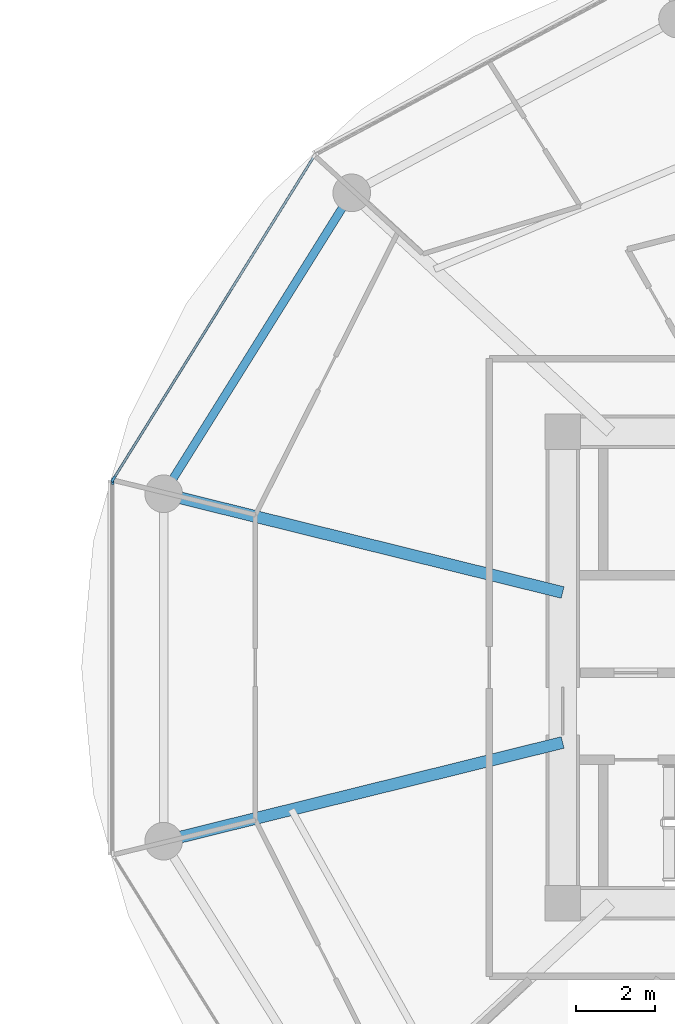
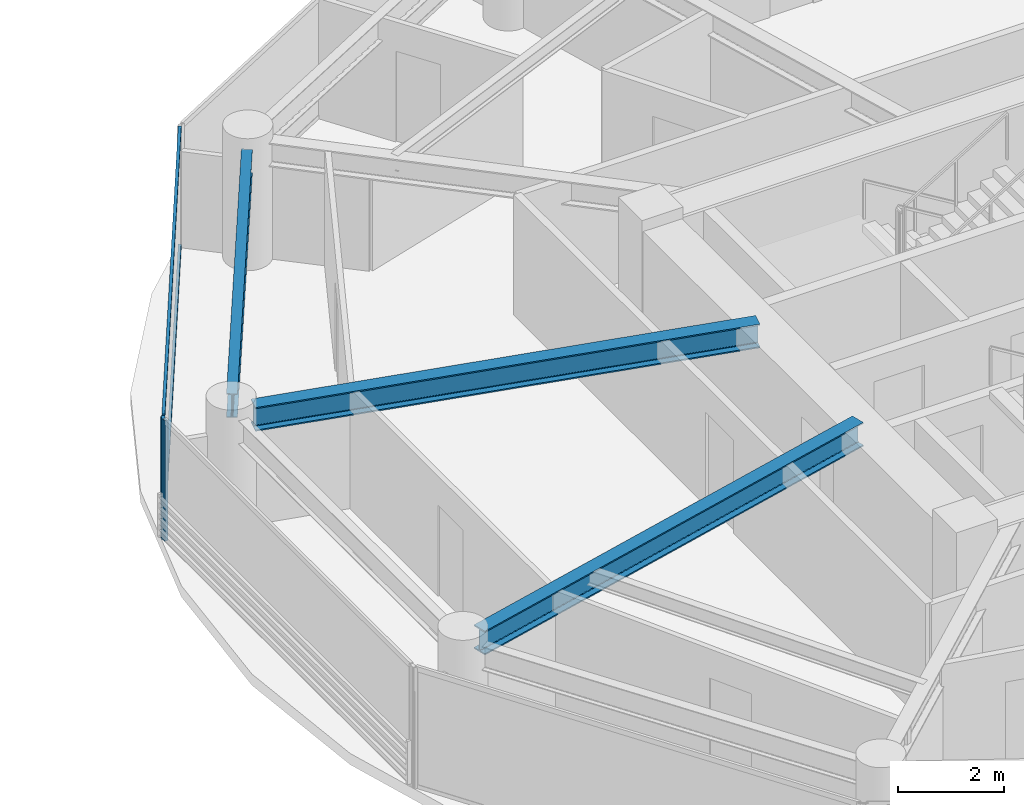
# One storey, part 8 of 27: 4 members, 3 beams, 2 elements without a shape of their own.
"""IFC4 building model written with IfcOpenShell, lengths in metres."""

from ifc_helpers import new_model, si_unit, direction, frame, origin, origin_2d, place, context, subcontext, project, spatial, rectangle, i_section, extrude, source, transform, mapped, material, layer, layer_set, material_profile, profile_set, type_object, type_shapes, element, aggregate, save


model = new_model("IFC4")

# Units and contexts
model_context = context("Model", 3, precision=1e-05, world=origin(), true_north=direction((0.0, 1.0)))
body_context = subcontext(model_context, "Body", "Model", "MODEL_VIEW")
ifc_project = project(units=[si_unit("LENGTHUNIT", "METRE"), si_unit("AREAUNIT", "SQUARE_METRE"), si_unit("VOLUMEUNIT", "CUBIC_METRE"), si_unit("PLANEANGLEUNIT", "RADIAN"), si_unit("MASSUNIT", "GRAM", prefix="KILO")], contexts=[model_context])

# Site, building, storey
site_placement = place(None, origin())
site = spatial("IfcSite", under=ifc_project, at=site_placement, CompositionType="ELEMENT")
building_placement = place(site_placement, origin())
building = spatial("IfcBuilding", under=site, at=building_placement, Name="Norrkilde Senior Care Towers", CompositionType="ELEMENT")
storey_placement = place(building_placement, frame((0.0, 0.0, 46.0)))
storey = spatial("IfcBuildingStorey", under=building, at=storey_placement, Name="L13", CompositionType="ELEMENT", Elevation=46.0)

# Beams
ifc_material_1 = material(Name="Steel S355", Category="steel")
ifc_material_profile_1 = material_profile(ifc_material_1, i_section(OverallWidth=0.2099609375, OverallDepth=0.550048828125, WebThickness=0.010986328125, FlangeThickness=0.01708984375, FilletRadius=0.02392578125, at=origin_2d()), Name="IPE 550")
ifc_profile_set_1 = profile_set([ifc_material_profile_1], Name="Steel S355")
beam_type_1 = type_object("IfcBeamType", Name="Perimeter Ring Spandrel Z1 IPE550", PredefinedType="SPANDREL", material=ifc_profile_set_1)
shared_shape_1 = source(origin(), body_context, "Body", "SweptSolid", [
    extrude(i_section(OverallWidth=0.2099609375, OverallDepth=0.550048828125, WebThickness=0.010986328125, FlangeThickness=0.01708984375, FilletRadius=0.02392578125, at=origin_2d()), origin(), (0.0, 0.0, 1.0), 8.090576171875),
])
type_shapes(beam_type_1, [shared_shape_1])
beam_placement = place(storey_placement, frame((14.7939453125, 11.61669921875, 2.514892578125), z_axis=(-0.530004364821, -0.84799491347, 0.0), x_axis=(0.84799491347, -0.530004364821, 0.0)))
element("IfcBeam", 1, at=beam_placement, inside=storey, type_object=beam_type_1, Name="L13 Drum E Perimeter Spandrel 05", PredefinedType="SPANDREL", context=body_context, shape_type="MappedRepresentation", body=[
    mapped(shared_shape_1, transform((0.0, 0.0, 0.0), x_axis=(1.0, 0.0, 0.0), y_axis=(0.0, 1.0, 0.0), z_axis=(0.0, 0.0, 1.0), scale=1.0)),
])
ifc_material_profile_2 = material_profile(ifc_material_1, i_section(OverallWidth=0.300048828125, OverallDepth=0.550048828125, WebThickness=0.014892578125, FlangeThickness=0.029052734375, FilletRadius=0.027099609375, at=origin_2d()), Name="HEB 550")
ifc_profile_set_2 = profile_set([ifc_material_profile_2], Name="Steel S355")
beam_type_2 = type_object("IfcBeamType", Name="Radial Floor Beam Z1 HEB550", PredefinedType="BEAM", material=ifc_profile_set_2)
shared_shape_2 = source(origin(), body_context, "Body", "SweptSolid", [
    extrude(i_section(OverallWidth=0.300048828125, OverallDepth=0.550048828125, WebThickness=0.014892578125, FlangeThickness=0.029052734375, FilletRadius=0.027099609375, at=origin_2d()), origin(), (0.0, 0.0, 1.0), 9.94384765625),
])
type_shapes(beam_type_2, [shared_shape_2])
for number, where, z_axis, x_axis, name in (
    (2, (20.35009765625, 1.893310546875, 2.514892578125), (-0.970707425182, 0.240264634718, 0.0), (-0.240264634718, -0.970707425182, 0.0), "L13 Drum E Radial Floor Beam 06"),
    (3, (20.35009765625, -1.893310546875, 2.514892578125), (-0.970707425182, -0.240264634718, 0.0), (0.240264634718, -0.970707425182, 0.0), "L13 Drum E Radial Floor Beam 07"),
):
    element("IfcBeam", number, at=place(storey_placement, frame(where, z_axis=z_axis, x_axis=x_axis)), inside=storey, type_object=beam_type_2, Name=name, PredefinedType="BEAM", context=body_context, shape_type="MappedRepresentation", body=[
        mapped(shared_shape_2, transform((0.0, 0.0, 0.0), x_axis=(1.0, 0.0, 0.0), y_axis=(0.0, 1.0, 0.0), z_axis=(0.0, 0.0, 1.0), scale=1.0)),
    ])

# Curtain wall, member
ifc_material_2 = material(Name="Triple Low-E Insulated Glazing", Category="glass")
ifc_layer = layer(ifc_material_2, 0.199951171875)
ifc_layer_set = layer_set([ifc_layer], Name="Triple Low-E Insulated Glazing")
curtain_wall_type = type_object("IfcCurtainWallType", Name="CW2 Zone 1 Memory Care Curtain Wall", PredefinedType="NOTDEFINED", material=ifc_layer_set)
curtain_wall_1_placement = place(storey_placement, origin())
curtain_wall_1 = element("IfcCurtainWall", 4, at=curtain_wall_1_placement, inside=storey, type_object=curtain_wall_type, Name="L13 Drum E Curtain Wall 04", PredefinedType="NOTDEFINED")
ifc_material_3 = material(Name="Anodised Aluminium", Category="aluminium")
ifc_material_profile_3 = material_profile(ifc_material_3, rectangle(XDim=0.06494140625, YDim=0.159912109375, at=origin_2d()), Name="ALU MULL 65x160")
ifc_profile_set_3 = profile_set([ifc_material_profile_3], Name="Anodised Aluminium")
member_type_1 = type_object("IfcMemberType", Name="Curtain Wall Mullion Z1-Z2 65x160", PredefinedType="MULLION", material=ifc_profile_set_3)
shared_shape_3 = source(origin(), body_context, "Body", "SweptSolid", [
    extrude(rectangle(XDim=0.06494140625, YDim=0.159912109375, at=origin_2d()), origin(), (0.0, 0.0, 1.0), 2.7900390625),
])
type_shapes(member_type_1, [shared_shape_3])
member_1_placement = place(storey_placement, frame((9.0078125, 4.7587890625, 0.0), z_axis=(0.0, 0.0, 1.0), x_axis=(-0.849305943117, 0.527900951871, 0.0)))
member_1 = element("IfcMember", 5, at=member_1_placement, type_object=member_type_1, Name="CW-2 mullion 1", PredefinedType="MULLION", context=body_context, shape_type="MappedRepresentation", body=[
    mapped(shared_shape_3, transform((0.0, 0.0, 0.0), x_axis=(1.0, 0.0, 0.0), y_axis=(0.0, 1.0, 0.0), z_axis=(0.0, 0.0, 1.0), scale=1.0)),
])

curtain_wall_2_placement = place(storey_placement, origin())
curtain_wall_2 = element("IfcCurtainWall", 6, at=curtain_wall_2_placement, inside=storey, type_object=curtain_wall_type, Name="L13 Drum E Curtain Wall 05", PredefinedType="NOTDEFINED")
member_2_placement = place(storey_placement, frame((8.990478515625, 4.69873046875, 0.0), z_axis=(0.0, 0.0, 1.0), x_axis=(-1.0, 0.0, 0.0)))
member_2 = element("IfcMember", 7, at=member_2_placement, type_object=member_type_1, Name="CW-2 mullion 2", PredefinedType="MULLION", context=body_context, shape_type="MappedRepresentation", body=[
    mapped(shared_shape_3, transform((0.0, 0.0, 0.0), x_axis=(1.0, 0.0, 0.0), y_axis=(0.0, 1.0, 0.0), z_axis=(0.0, 0.0, 1.0), scale=1.0)),
])
aggregate(curtain_wall_2, [member_2])

# Member
ifc_material_profile_4 = material_profile(ifc_material_3, rectangle(XDim=0.06005859375, YDim=0.1201171875, at=origin_2d()), Name="ALU TRAN 60x120")
ifc_profile_set_4 = profile_set([ifc_material_profile_4], Name="Anodised Aluminium")
member_type_2 = type_object("IfcMemberType", Name="Curtain Wall Transom Typical 60x120", PredefinedType="USERDEFINED", material=ifc_profile_set_4)
shared_shape_4 = source(origin(), body_context, "Body", "SweptSolid", [
    extrude(rectangle(XDim=0.06005859375, YDim=0.1201171875, at=origin_2d()), origin(), (0.0, 0.0, 1.0), 9.5185546875),
])
type_shapes(member_type_2, [shared_shape_4])
member_3_placement = place(storey_placement, frame((9.02490234375, 4.786376953125, 0.030029296875), z_axis=(0.527901620669, 0.849305527413, 0.0), x_axis=(-0.849305527413, 0.527901620669, 0.0)))
member_3 = element("IfcMember", 8, at=member_3_placement, type_object=member_type_2, Name="CW-2 transom 1.1", ObjectType="TRANSOM", PredefinedType="USERDEFINED", context=body_context, shape_type="MappedRepresentation", body=[
    mapped(shared_shape_4, transform((0.0, 0.0, 0.0), x_axis=(1.0, 0.0, 0.0), y_axis=(0.0, 1.0, 0.0), z_axis=(0.0, 0.0, 1.0), scale=1.0)),
])

member_4_placement = place(storey_placement, frame((9.02490234375, 4.786376953125, 2.760009765625), z_axis=(0.527901620669, 0.849305527413, 0.0), x_axis=(-0.849305527413, 0.527901620669, 0.0)))
member_4 = element("IfcMember", 9, at=member_4_placement, type_object=member_type_2, Name="CW-2 transom 1.2", ObjectType="TRANSOM", PredefinedType="USERDEFINED", context=body_context, shape_type="MappedRepresentation", body=[
    mapped(shared_shape_4, transform((0.0, 0.0, 0.0), x_axis=(1.0, 0.0, 0.0), y_axis=(0.0, 1.0, 0.0), z_axis=(0.0, 0.0, 1.0), scale=1.0)),
])

aggregate(curtain_wall_1, [member_1, member_3, member_4])

save(model, "model.ifc")
